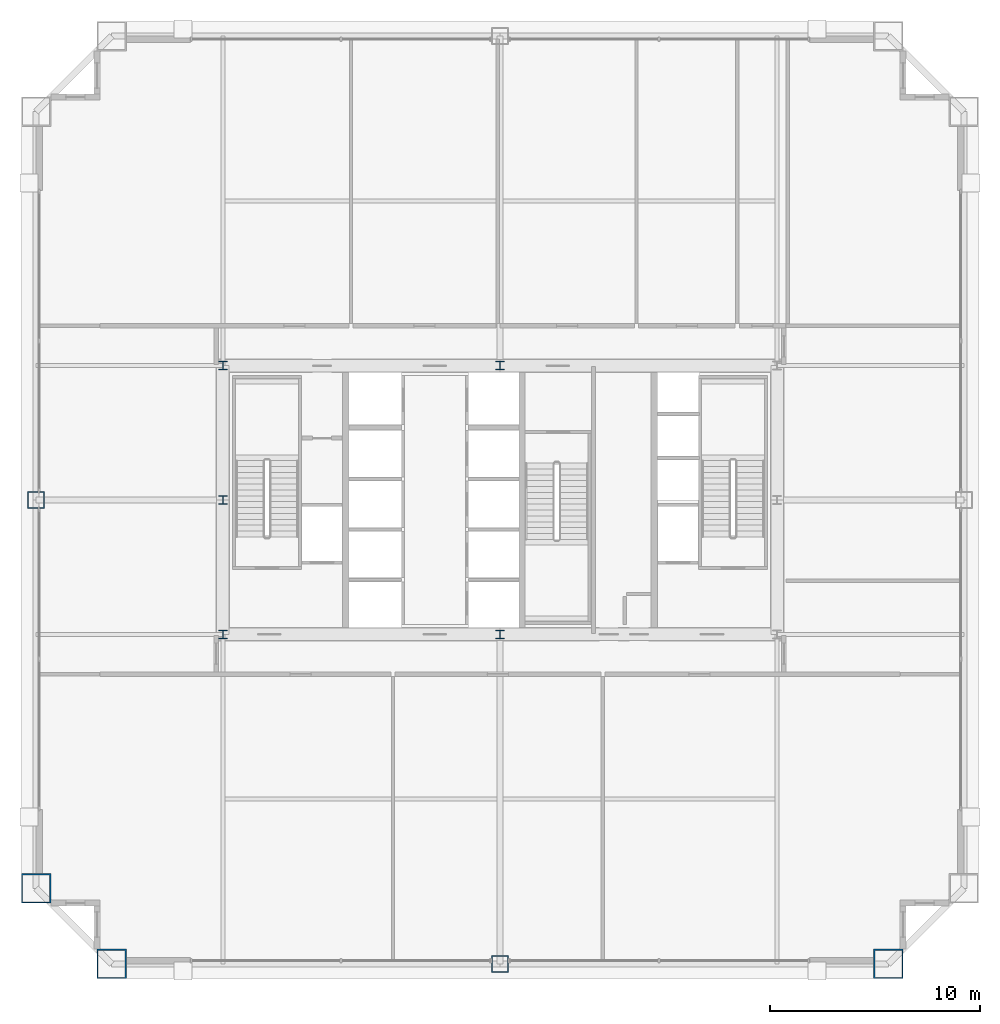
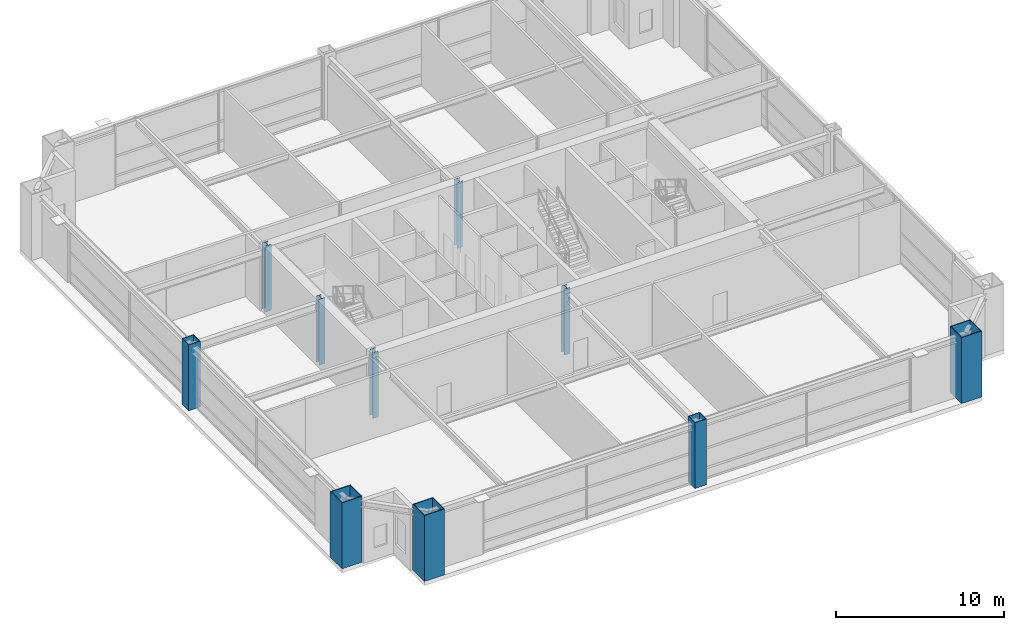
# One storey, part 1 of 34: 10 columns.
"""IFC4 building model written with IfcOpenShell, lengths in metres."""

from ifc_helpers import new_model, si_unit, direction, frame, origin, origin_2d, place, context, subcontext, project, spatial, hollow_rectangle, i_section, extrude, source, transform, mapped, material, material_profile, profile_set, type_object, element, save


model = new_model("IFC4")

# Units and contexts
model_context = context("Model", 3, precision=1e-05, world=origin(), true_north=direction((0.0, 1.0)))
body_context = subcontext(model_context, "Body", "Model", "MODEL_VIEW")
ifc_project = project(units=[si_unit("LENGTHUNIT", "METRE"), si_unit("AREAUNIT", "SQUARE_METRE"), si_unit("VOLUMEUNIT", "CUBIC_METRE"), si_unit("PLANEANGLEUNIT", "RADIAN"), si_unit("MASSUNIT", "GRAM", prefix="KILO"), si_unit("THERMODYNAMICTEMPERATUREUNIT", "KELVIN"), si_unit("POWERUNIT", "WATT")], contexts=[model_context])

# Site, building, storey
site_placement = place(None, origin())
site = spatial("IfcSite", under=ifc_project, at=site_placement, CompositionType="ELEMENT")
building_placement = place(site_placement, origin())
building = spatial("IfcBuilding", under=site, at=building_placement, Name="Yuzanri Waterfront Tower", CompositionType="ELEMENT")
storey_placement = place(building_placement, frame((0.0, 0.0, 171.60009765625)))
storey = spatial("IfcBuildingStorey", under=building, at=storey_placement, Name="L45", CompositionType="ELEMENT", Elevation=171.60009765625)

# Columns
ifc_material_1 = material(Name="Steel Q355B", Category="steel")
ifc_material_profile_1 = material_profile(ifc_material_1, i_section(OverallWidth=0.39990234375, OverallDepth=0.39990234375, WebThickness=0.012939453125, FlangeThickness=0.02099609375, at=origin_2d()), Name="HW 400x400x13x21")
ifc_profile_set_1 = profile_set([ifc_material_profile_1], Name="Steel Q355B")
column_type_1 = type_object("IfcColumnType", Name="Core Post Q355B HW 400x400x13x21", PredefinedType="COLUMN", material=ifc_profile_set_1)
shared_shape_1 = source(origin(), body_context, "Body", "SweptSolid", [
    extrude(i_section(OverallWidth=0.39990234375, OverallDepth=0.39990234375, WebThickness=0.012939453125, FlangeThickness=0.02099609375, at=origin_2d()), origin(), (0.0, 0.0, 1.0), 4.7998046875),
])
for number, where, z_axis, x_axis, name in (
    (1, (23.800048828125, 19.39990234375, 0.0), (0.0, 0.0, 1.0), (1.0, 0.0, 0.0), "L45 Core Boundary Column CP1"),
    (2, (37.0, 19.39990234375, 0.0), (0.0, 0.0, 1.0), (1.0, 0.0, 0.0), "L45 Core Boundary Column CP2"),
    (3, (23.800048828125, 25.800048828125, 0.0), (0.0, 0.0, 1.0), (1.0, 0.0, 0.0), "L45 Core Boundary Column CP4"),
    (4, (23.800048828125, 32.199951171875, 0.0), (0.0, 0.0, 1.0), (1.0, 0.0, 0.0), "L45 Core Boundary Column CP6"),
    (5, (37.0, 32.199951171875, 0.0), (0.0, 0.0, 1.0), (1.0, 0.0, 0.0), "L45 Core Boundary Column CP7"),
):
    element("IfcColumn", number, at=place(storey_placement, frame(where, z_axis=z_axis, x_axis=x_axis)), inside=storey, type_object=column_type_1, Name=name, PredefinedType="COLUMN", context=body_context, shape_type="MappedRepresentation", body=[
        mapped(shared_shape_1, transform((0.0, 0.0, 0.0), scale=1.0)),
    ])
ifc_material_2 = material(Name="Steel Q420GJC", Category="steel")
ifc_material_profile_2 = material_profile(ifc_material_2, hollow_rectangle(XDim=1.39990234375, YDim=1.39990234375, WallThickness=0.06005859375, at=origin_2d()), Name="RHS 1400x1400x60")
ifc_profile_set_2 = profile_set([ifc_material_profile_2], Name="Steel Q420GJC")
column_type_2 = type_object("IfcColumnType", Name="Mega Column Q420GJC RHS 1400x1400x60", PredefinedType="COLUMN", material=ifc_profile_set_2)
shared_shape_2 = source(origin(), body_context, "Body", "SweptSolid", [
    extrude(hollow_rectangle(XDim=1.39990234375, YDim=1.39990234375, WallThickness=0.06005859375, at=origin_2d()), origin(), (0.0, 0.0, 1.0), 4.7998046875),
])
for number, where, z_axis, x_axis, name in (
    (6, (18.5, 3.699951171875, 0.0), (0.0, 0.0, 1.0), (1.0, 0.0, 0.0), "L45 Perimeter Mega Column S1"),
    (7, (55.5, 3.699951171875, 0.0), (0.0, 0.0, 1.0), (1.0, 0.0, 0.0), "L45 Perimeter Mega Column S3"),
    (8, (14.89990234375, 7.300048828125, 0.0), (0.0, 0.0, 1.0), (1.0, 0.0, 0.0), "L45 Perimeter Mega Column W1"),
):
    element("IfcColumn", number, at=place(storey_placement, frame(where, z_axis=z_axis, x_axis=x_axis)), inside=storey, type_object=column_type_2, Name=name, PredefinedType="COLUMN", context=body_context, shape_type="MappedRepresentation", body=[
        mapped(shared_shape_2, transform((0.0, 0.0, 0.0), scale=1.0)),
    ])
ifc_material_3 = material(Name="Steel Q390GJC", Category="steel")
ifc_material_profile_3 = material_profile(ifc_material_3, hollow_rectangle(XDim=0.800048828125, YDim=0.800048828125, WallThickness=0.035888671875, at=origin_2d()), Name="RHS 800x800x36")
ifc_profile_set_3 = profile_set([ifc_material_profile_3], Name="Steel Q390GJC")
column_type_3 = type_object("IfcColumnType", Name="Frame Column Q390GJC RHS 800x800x36", PredefinedType="COLUMN", material=ifc_profile_set_3)
shared_shape_3 = source(origin(), body_context, "Body", "SweptSolid", [
    extrude(hollow_rectangle(XDim=0.800048828125, YDim=0.800048828125, WallThickness=0.035888671875, at=origin_2d()), origin(), (0.0, 0.0, 1.0), 4.7998046875),
])
for number, where, z_axis, x_axis, name in (
    (9, (37.0, 3.699951171875, 0.0), (0.0, 0.0, 1.0), (1.0, 0.0, 0.0), "L45 Perimeter Frame Column S2"),
    (10, (14.89990234375, 25.800048828125, 0.0), (0.0, 0.0, 1.0), (1.0, 0.0, 0.0), "L45 Perimeter Frame Column W2"),
):
    element("IfcColumn", number, at=place(storey_placement, frame(where, z_axis=z_axis, x_axis=x_axis)), inside=storey, type_object=column_type_3, Name=name, PredefinedType="COLUMN", context=body_context, shape_type="MappedRepresentation", body=[
        mapped(shared_shape_3, transform((0.0, 0.0, 0.0), scale=1.0)),
    ])

save(model, "model.ifc")
